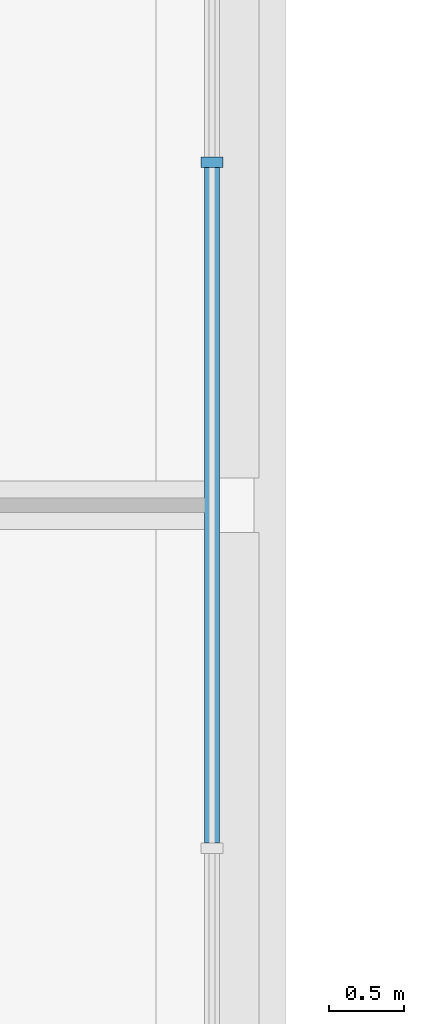
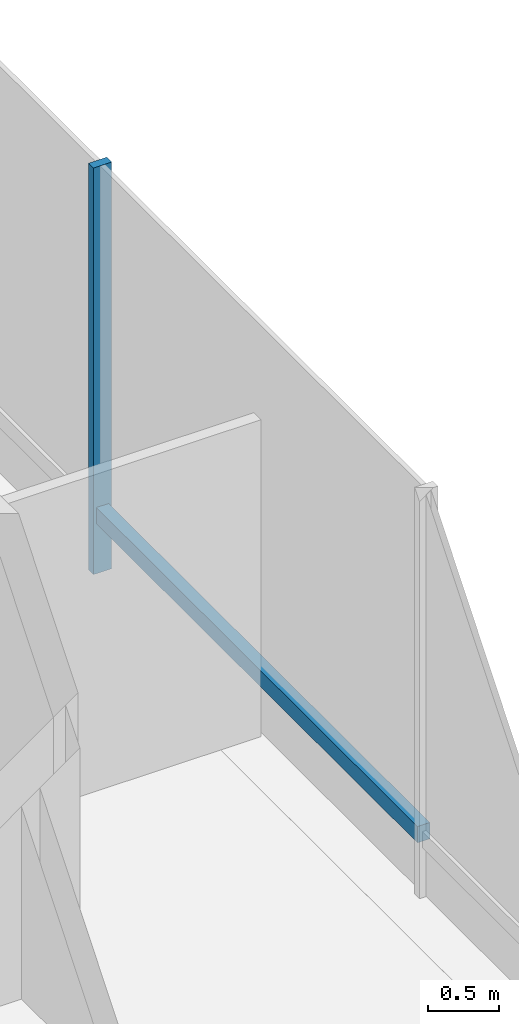
# One storey, part 6 of 21: 2 members, 1 element without a shape of its own.
"""IFC4 building model written with IfcOpenShell, lengths in metres."""

from ifc_helpers import new_model, si_unit, direction, frame, origin, origin_2d, place, context, subcontext, project, spatial, rectangle, extrude, material, material_profile, profile_set, type_object, element, aggregate, save


model = new_model("IFC4")

# Units and contexts
model_context = context("Model", 3, precision=1e-05, world=origin(), true_north=direction((0.0, 1.0)))
body_context = subcontext(model_context, "Body", "Model", "MODEL_VIEW")
ifc_project = project(units=[si_unit("LENGTHUNIT", "METRE"), si_unit("AREAUNIT", "SQUARE_METRE"), si_unit("VOLUMEUNIT", "CUBIC_METRE"), si_unit("PLANEANGLEUNIT", "RADIAN"), si_unit("MASSUNIT", "GRAM", prefix="KILO")], contexts=[model_context])

# Site, building, storey
site_placement = place(None, origin())
site = spatial("IfcSite", under=ifc_project, at=site_placement, CompositionType="ELEMENT")
building_placement = place(site_placement, origin())
building = spatial("IfcBuilding", under=site, at=building_placement, Name="Cobrizo Arcos Hotel Tower", CompositionType="ELEMENT")
storey_placement = place(building_placement, frame((0.0, 0.0, 279.5)))
storey = spatial("IfcBuildingStorey", under=building, at=storey_placement, Name="L74", CompositionType="ELEMENT", Elevation=279.5)

# Curtain wall, members
ifc_material = material(Name="Aluminium 6063-T6 anodised bronze", Category="aluminium")
curtain_wall_type = type_object("IfcCurtainWallType", Name="CW-C arch infill and crown glazing", PredefinedType="NOTDEFINED", material=ifc_material)
curtain_wall_placement = place(storey_placement, origin())
curtain_wall = element("IfcCurtainWall", 1, at=curtain_wall_placement, inside=storey, type_object=curtain_wall_type, Name="CW-C L74 E face", PredefinedType="NOTDEFINED")
ifc_material_profile_1 = material_profile(ifc_material, rectangle(XDim=0.14990234375, YDim=0.070068359375, at=origin_2d()), Name="CW-C mullion 150x70")
ifc_profile_set_1 = profile_set([ifc_material_profile_1], Name="Aluminium 6063-T6 anodised bronze")
member_type_1 = type_object("IfcMemberType", Name="CW-C mullion 150x70", PredefinedType="MULLION", material=ifc_profile_set_1)
member_1_placement = place(storey_placement, frame((-9.7529296875, 2.300048828125, 0.0), z_axis=(0.0, 0.0, 1.0), x_axis=(1.0, 0.0, 0.0)))
member_1 = element("IfcMember", 2, at=member_1_placement, type_object=member_type_1, Name="CW-C mullion 6", PredefinedType="MULLION", context=body_context, shape_type="SweptSolid", body=[
    extrude(rectangle(XDim=0.14990234375, YDim=0.070068359375, at=origin_2d()), origin(), (0.0, 0.0, 1.0), 3.5),
])
ifc_material_profile_2 = material_profile(ifc_material, rectangle(XDim=0.10009765625, YDim=0.139892578125, at=origin_2d()), Name="CW-C transom 140x100")
ifc_profile_set_2 = profile_set([ifc_material_profile_2], Name="Aluminium 6063-T6 anodised bronze")
member_type_2 = type_object("IfcMemberType", Name="CW-C transom 140x100", PredefinedType="USERDEFINED", material=ifc_profile_set_2)
member_2_placement = place(storey_placement, frame((-9.7529296875, -2.264892578125, 0.5), z_axis=(0.0, 1.0, 0.0), x_axis=(-1.0, 0.0, 0.0)))
member_2 = element("IfcMember", 3, at=member_2_placement, type_object=member_type_2, Name="CW-C transom 2346", ObjectType="TRANSOM", PredefinedType="USERDEFINED", context=body_context, shape_type="SweptSolid", body=[
    extrude(rectangle(XDim=0.10009765625, YDim=0.139892578125, at=origin_2d()), origin(), (0.0, 0.0, 1.0), 4.52978515625),
])
aggregate(curtain_wall, [member_1, member_2])

save(model, "model.ifc")
